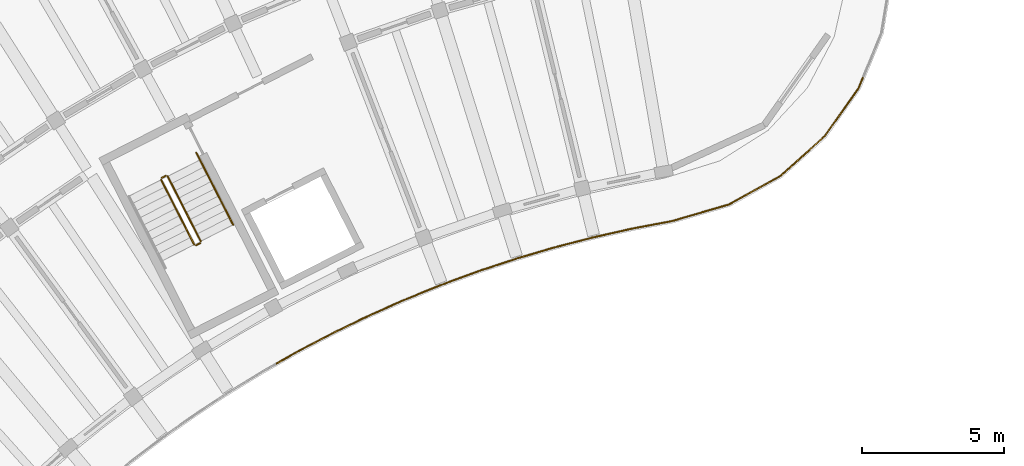
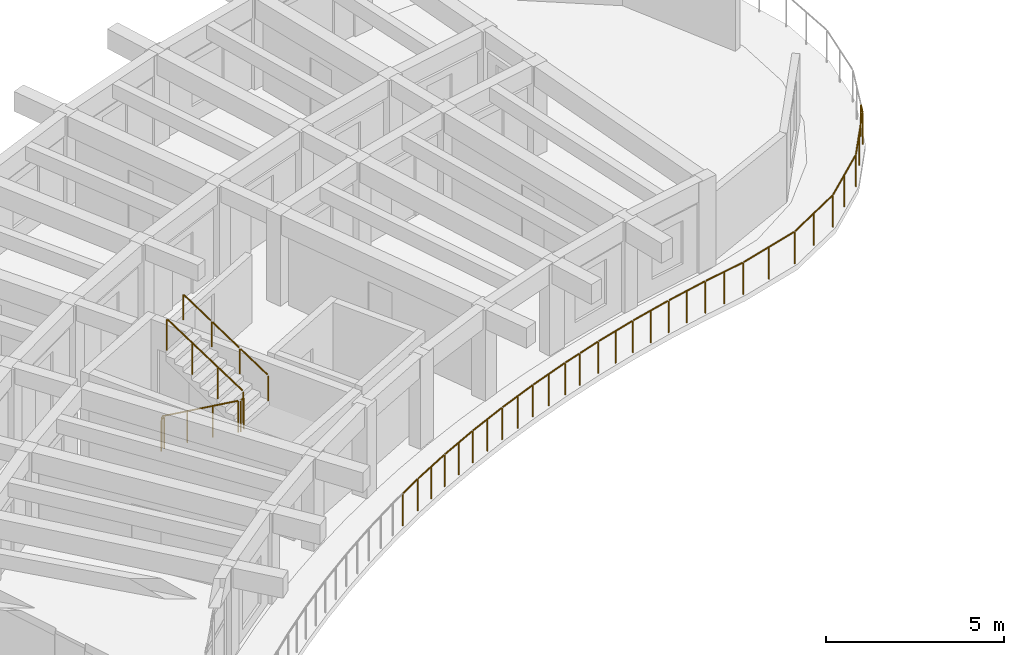
# One storey, part 35 of 41: 10 railings.
"""IFC4 building model written with IfcOpenShell, lengths in metres."""

import ifcopenshell
import ifcopenshell.guid

model = None  # the IFC model being written
_history = None  # IfcOwnerHistory: only IFC2X3 demands one
_inside = {}  # id of a spatial element -> (the spatial element, [elements in it])
_under = {}  # id of a project, library or spatial element -> (it, [spatial elements below it])
_declared = {}  # id of a project -> (the project, [libraries it declares])
_typed = {}  # id of a type object -> (the type object, [elements of that type])
_made_of = {}  # id of a material, layer set ... -> (it, [elements and type objects made of it])


def new_model(schema):
    """Start an empty IFC model of exactly this schema.

    Asked for "IFC4X3", IfcOpenShell would pick the latest addendum, in which some entities
    have other attributes; the version numbers below select the first issue.
    IFC2X3 requires an IfcOwnerHistory on every rooted entity: one is made here for all.
    """
    global model, _history
    if schema == "IFC4X3":
        model = ifcopenshell.file(schema_version=(4, 3, 0, 0))
    else:
        model = ifcopenshell.file(schema=schema)
    _inside.clear()
    _under.clear()
    _declared.clear()
    _typed.clear()
    _made_of.clear()
    _history = None
    if model.schema == "IFC2X3":
        org = make("IfcOrganization", Name="unknown")
        user = make(
            "IfcPersonAndOrganization",
            ThePerson=make("IfcPerson", FamilyName="unknown"),
            TheOrganization=org,
        )
        app = make(
            "IfcApplication",
            ApplicationDeveloper=org,
            Version="unknown",
            ApplicationFullName="unknown",
            ApplicationIdentifier="unknown",
        )
        _history = make(
            "IfcOwnerHistory",
            OwningUser=user,
            OwningApplication=app,
            ChangeAction="ADDED",
            CreationDate=0,
        )
    return model


def make(cls, **values):
    """One entity of the class cls with the attributes given. An attribute that is None is left unset."""
    return model.create_entity(
        cls, **{name: value for name, value in values.items() if value is not None}
    )


def rooted(cls, **values):
    """An entity with a GlobalId (a new one), such as an element, a storey or a relation."""
    return make(cls, GlobalId=ifcopenshell.guid.new(), OwnerHistory=_history, **values)


def si_unit(unit_type, name, prefix=None):
    """IfcSIUnit, for example si_unit("LENGTHUNIT", "METRE", prefix="MILLI")."""
    return make("IfcSIUnit", UnitType=unit_type, Prefix=prefix, Name=name)


def assignment(units):
    """IfcUnitAssignment: the units of a project."""
    return None if units is None else make("IfcUnitAssignment", Units=units)


def point(xyz):
    """IfcCartesianPoint."""
    return None if xyz is None else make("IfcCartesianPoint", Coordinates=xyz)


def direction(xyz):
    """IfcDirection."""
    return None if xyz is None else make("IfcDirection", DirectionRatios=xyz)


def frame(location, z_axis=None, x_axis=None):
    """IfcAxis2Placement3D, a coordinate frame: its origin and axes. An axis left out is left unset."""
    return make(
        "IfcAxis2Placement3D",
        Location=point(location),
        Axis=direction(z_axis),
        RefDirection=direction(x_axis),
    )


def frame_2d(location, x_axis=None):
    """IfcAxis2Placement2D, a coordinate frame in the plane: its origin and x axis."""
    return make(
        "IfcAxis2Placement2D", Location=point(location), RefDirection=direction(x_axis)
    )


def origin():
    """The frame at (0, 0, 0) with its axes left unset."""
    return frame((0.0, 0.0, 0.0))


def origin_2d():
    """The frame at (0, 0) in the plane with its x axis left unset."""
    return frame_2d((0.0, 0.0))


def place(relative_to, where):
    """IfcLocalPlacement: puts the frame where relative to a parent placement (None: the world)."""
    return make(
        "IfcLocalPlacement", PlacementRelTo=relative_to, RelativePlacement=where
    )


def context(
    kind, dimensions, precision=None, world=None, true_north=None, identifier=None
):
    """IfcGeometricRepresentationContext, for example the 3D "Model" context."""
    return make(
        "IfcGeometricRepresentationContext",
        ContextIdentifier=identifier,
        ContextType=kind,
        CoordinateSpaceDimension=dimensions,
        Precision=precision,
        WorldCoordinateSystem=world,
        TrueNorth=true_north,
    )


def subcontext(parent, identifier, kind, view, scale=None):
    """IfcGeometricRepresentationSubContext, for example "Body" below "Model"."""
    return make(
        "IfcGeometricRepresentationSubContext",
        ContextIdentifier=identifier,
        ContextType=kind,
        ParentContext=parent,
        TargetScale=scale,
        TargetView=view,
    )


def project(units=None, contexts=None):
    """IfcProject with its units and contexts."""
    return rooted(
        "IfcProject",
        Name="project",
        RepresentationContexts=contexts,
        UnitsInContext=assignment(units),
    )


def spatial(cls, under=None, at=None, **own):
    """A site, building, storey or space (cls), placed at a placement, below another one or the project."""
    s = rooted(cls, ObjectPlacement=at, **own)
    if under is not None:
        _under.setdefault(under.id(), (under, []))[1].append(s)
    return s


def profile(cls, at=None, kind="AREA", **sizes):
    """A parametric profile (cls). Its sizes go by their IFC names, for example OverallWidth=200.0."""
    return make(cls, ProfileType=kind, Position=at, **sizes)


def circle(**sizes):
    """IfcCircleProfileDef."""
    return profile("IfcCircleProfileDef", **sizes)


def extrude(swept, where, along, depth):
    """IfcExtrudedAreaSolid: the profile swept, set in the frame where, extruded along a direction by depth."""
    return make(
        "IfcExtrudedAreaSolid",
        SweptArea=swept,
        Position=where,
        ExtrudedDirection=direction(along),
        Depth=depth,
    )


def shape(context_of_items, identifier, shape_type, items):
    """IfcShapeRepresentation: the items that make up one representation, for example the "Body"."""
    return make(
        "IfcShapeRepresentation",
        ContextOfItems=context_of_items,
        RepresentationIdentifier=identifier,
        RepresentationType=shape_type,
        Items=items,
    )


def material(Name=None, Category=None):
    """IfcMaterial."""
    return make("IfcMaterial", Name=Name, Category=Category)


def made_of(thing, what):
    """Note that an element or type object is made of a material, layer set ...; save() writes the relation."""
    if what is not None:
        _made_of.setdefault(what.id(), (what, []))[1].append(thing)
    return thing


def type_object(cls, material=None, **own):
    """A type object (cls), such as IfcWallType, which elements share."""
    return made_of(rooted(cls, **own), material)


def element(
    cls,
    number,
    at=None,
    inside=None,
    cuts=None,
    type_object=None,
    material=None,
    context=None,
    identifier="Body",
    shape_type=None,
    held_by="IfcProductDefinitionShape",
    body=None,
    shapes=None,
    **own,
):
    """One element of the class cls, such as IfcWall. Its Tag is "e" and its number.

    at: its placement. inside: the storey or other place that contains it. cuts: it is an
    opening in that element (IfcRelVoidsElement). A single representation is given by context,
    identifier, shape_type and body (its items); several are given by shapes. held_by: the class
    of the entity that holds the representations. save() writes the other relations.
    """
    e = rooted(cls, Tag="e%d" % number, ObjectPlacement=at, **own)
    if body is not None:
        shapes = [shape(context, identifier, shape_type, body)]
    if shapes is not None:
        e.Representation = make(held_by, Representations=shapes)
    if inside is not None:
        _inside.setdefault(inside.id(), (inside, []))[1].append(e)
    if cuts is not None:
        rooted(
            "IfcRelVoidsElement", RelatingBuildingElement=cuts, RelatedOpeningElement=e
        )
    if type_object is not None:
        _typed.setdefault(type_object.id(), (type_object, []))[1].append(e)
    return made_of(e, material)


def aggregate(whole, parts):
    """IfcRelAggregates: a whole, such as a stair, and the parts it consists of."""
    return rooted("IfcRelAggregates", RelatingObject=whole, RelatedObjects=parts)


def save(model, path):
    """Write the relations noted so far, then the file.

    IfcRelAggregates (storeys below a building ...), IfcRelContainedInSpatialStructure (elements
    in a storey), IfcRelDefinesByType, IfcRelAssociatesMaterial and IfcRelDeclares: one each for
    every whole, place, type object, material and project.
    """
    for whole, parts in _under.values():
        aggregate(whole, parts)
    for where, things in _inside.values():
        rooted(
            "IfcRelContainedInSpatialStructure",
            RelatedElements=things,
            RelatingStructure=where,
        )
    for kind, things in _typed.values():
        rooted("IfcRelDefinesByType", RelatedObjects=things, RelatingType=kind)
    for what, things in _made_of.values():
        rooted("IfcRelAssociatesMaterial", RelatedObjects=things, RelatingMaterial=what)
    for by, libraries in _declared.values():
        rooted("IfcRelDeclares", RelatingContext=by, RelatedDefinitions=libraries)
    model.write(path)


model = new_model("IFC4")

# Units and contexts
model_context = context("Model", 3, precision=1e-05, world=origin(), true_north=direction((0.0, 1.0)))
body_context = subcontext(model_context, "Body", "Model", "MODEL_VIEW")
ifc_project = project(units=[si_unit("LENGTHUNIT", "METRE"), si_unit("AREAUNIT", "SQUARE_METRE"), si_unit("VOLUMEUNIT", "CUBIC_METRE"), si_unit("PLANEANGLEUNIT", "RADIAN"), si_unit("MASSUNIT", "GRAM", prefix="KILO")], contexts=[model_context])

# Site, building, storey
site_placement = place(None, origin())
site = spatial("IfcSite", under=ifc_project, at=site_placement, CompositionType="ELEMENT")
building_placement = place(site_placement, origin())
building = spatial("IfcBuilding", under=site, at=building_placement, Name="Tanwirah Colonnade Gardens", CompositionType="ELEMENT")
storey_placement = place(building_placement, frame((0.0, 0.0, 35.719970703125)))
storey = spatial("IfcBuildingStorey", under=building, at=storey_placement, Name="L10", CompositionType="ELEMENT", Elevation=35.719970703125)

# Railings
ifc_material_1 = material(Name="Precast concrete C40/50", Category="concrete")
railing_type_1 = type_object("IfcRailingType", Name="BAL-EXT112", PredefinedType="BALUSTRADE", material=ifc_material_1)
railing_1_placement = place(storey_placement, frame((59.755615234375, 102.843017578125, 0.0)))
element("IfcRailing", 1, at=railing_1_placement, inside=storey, type_object=railing_type_1, Name="Block A L10 Balcony Ribbon Balustrade 1", PredefinedType="BALUSTRADE", context=body_context, shape_type="SweptSolid", body=[
    extrude(circle(Radius=0.02392578125, at=origin_2d()), frame((-0.030029296875, -0.0087890625, 1.09619140625), z_axis=(-0.960245363481, -0.279157378397, 0.0), x_axis=(0.279157378397, -0.960245363481, 0.0)), (0.0, 0.0, 1.0), 2.029541015625),
    extrude(circle(Radius=0.02392578125, at=origin_2d()), frame((-2.03955078125, -0.58984375, 1.09619140625), z_axis=(-0.982553032323, -0.185982630032, 0.0), x_axis=(0.185982630032, -0.982553032323, 0.0)), (0.0, 0.0, 1.0), 1.338134765625),
    extrude(circle(Radius=0.02392578125, at=origin_2d()), frame((-3.41796875, -0.851806640625, 1.09619140625), z_axis=(-0.975875211082, -0.218329046156, 0.0), x_axis=(0.218329046156, -0.975875211082, 0.0)), (0.0, 0.0, 1.0), 1.342041015625),
    extrude(circle(Radius=0.02392578125, at=origin_2d()), frame((-4.790771484375, -1.16015625, 1.09619140625), z_axis=(-0.968157809477, -0.250340679771, 0.0), x_axis=(0.250340679771, -0.968157809477, 0.0)), (0.0, 0.0, 1.0), 1.341796875),
    extrude(circle(Radius=0.02392578125, at=origin_2d()), frame((-6.15283203125, -1.513427734375, 1.09619140625), z_axis=(-0.959362733044, -0.282175736812, 0.0), x_axis=(0.282175736812, -0.959362733044, 0.0)), (0.0, 0.0, 1.0), 1.341796875),
    extrude(circle(Radius=0.02392578125, at=origin_2d()), frame((-7.50244140625, -1.911376953125, 1.09619140625), z_axis=(-0.949521053399, -0.313703313902, 0.0), x_axis=(0.313703313902, -0.949521053399, 0.0)), (0.0, 0.0, 1.0), 0.72119140625),
    extrude(circle(Radius=0.02099609375, at=origin_2d()), origin(), (0.0, 0.0, 1.0), 1.069091796875),
    extrude(circle(Radius=0.02099609375, at=origin_2d()), frame((-1.00439453125, -0.2919921875, 0.0)), (0.0, 0.0, 1.0), 1.069091796875),
    extrude(circle(Radius=0.02099609375, at=origin_2d()), frame((-2.0087890625, -0.583984375, 0.0)), (0.0, 0.0, 1.0), 1.069091796875),
    extrude(circle(Radius=0.02099609375, at=origin_2d()), frame((-2.69677734375, -0.71435546875, 0.0)), (0.0, 0.0, 1.0), 1.069091796875),
    extrude(circle(Radius=0.02099609375, at=origin_2d()), frame((-3.385009765625, -0.844482421875, 0.0)), (0.0, 0.0, 1.0), 1.069091796875),
    extrude(circle(Radius=0.02099609375, at=origin_2d()), frame((-4.07275390625, -0.998291015625, 0.0)), (0.0, 0.0, 1.0), 1.069091796875),
    extrude(circle(Radius=0.02099609375, at=origin_2d()), frame((-4.758056640625, -1.151611328125, 0.0)), (0.0, 0.0, 1.0), 1.069091796875),
    extrude(circle(Radius=0.02099609375, at=origin_2d()), frame((-5.4404296875, -1.328125, 0.0)), (0.0, 0.0, 1.0), 1.069091796875),
    extrude(circle(Radius=0.02099609375, at=origin_2d()), frame((-6.1201171875, -1.50390625, 0.0)), (0.0, 0.0, 1.0), 1.069091796875),
    extrude(circle(Radius=0.02099609375, at=origin_2d()), frame((-6.79638671875, -1.70263671875, 0.0)), (0.0, 0.0, 1.0), 1.069091796875),
    extrude(circle(Radius=0.02099609375, at=origin_2d()), frame((-7.469970703125, -1.90087890625, 0.0)), (0.0, 0.0, 1.0), 1.069091796875),
    extrude(circle(Radius=0.02099609375, at=origin_2d()), frame((-8.216796875, -2.1474609375, 0.0)), (0.0, 0.0, 1.0), 1.069091796875),
])
railing_2_placement = place(storey_placement, frame((51.538818359375, 100.695556640625, 0.0)))
element("IfcRailing", 2, at=railing_2_placement, inside=storey, type_object=railing_type_1, Name="Block A L10 Balcony Ribbon Balustrade 2", PredefinedType="BALUSTRADE", context=body_context, shape_type="SweptSolid", body=[
    extrude(circle(Radius=0.02392578125, at=origin_2d()), frame((-0.02978515625, -0.009765625, 1.09619140625), z_axis=(-0.949545470255, -0.313629399003, 0.0), x_axis=(0.313629399003, -0.949545470255, 0.0)), (0.0, 0.0, 1.0), 0.557861328125),
    extrude(circle(Radius=0.02392578125, at=origin_2d()), frame((-0.62109375, -0.206298828125, 1.09619140625), z_axis=(-0.93868698515, -0.344770567059, 0.0), x_axis=(0.344770567059, -0.93868698515, 0.0)), (0.0, 0.0, 1.0), 1.341796875),
    extrude(circle(Radius=0.02392578125, at=origin_2d()), frame((-1.94140625, -0.6923828125, 1.09619140625), z_axis=(-0.92683738147, -0.375463005247, 0.0), x_axis=(0.375463005247, -0.92683738147, 0.0)), (0.0, 0.0, 1.0), 1.342041015625),
    extrude(circle(Radius=0.02392578125, at=origin_2d()), frame((-3.244873046875, -1.2216796875, 1.09619140625), z_axis=(-0.913997826773, -0.40571908096, 0.0), x_axis=(0.40571908096, -0.913997826773, 0.0)), (0.0, 0.0, 1.0), 1.342041015625),
    extrude(circle(Radius=0.02392578125, at=origin_2d()), frame((-4.5302734375, -1.793701171875, 1.09619140625), z_axis=(-0.900124070825, -0.43563362717, 0.0), x_axis=(0.43563362717, -0.900124070825, 0.0)), (0.0, 0.0, 1.0), 1.341796875),
    extrude(circle(Radius=0.02392578125, at=origin_2d()), frame((-5.796142578125, -2.40771484375, 1.09619140625), z_axis=(-0.885204649416, -0.465201814972, 0.0), x_axis=(0.465201814972, -0.885204649416, 0.0)), (0.0, 0.0, 1.0), 1.341796875),
    extrude(circle(Radius=0.02392578125, at=origin_2d()), frame((-7.041259765625, -3.06298828125, 1.09619140625), z_axis=(-0.869382946819, -0.494138939753, 0.0), x_axis=(0.494138939753, -0.869382946819, 0.0)), (0.0, 0.0, 1.0), 0.779296875),
    extrude(circle(Radius=0.02099609375, at=origin_2d()), origin(), (0.0, 0.0, 1.0), 1.069091796875),
    extrude(circle(Radius=0.02099609375, at=origin_2d()), frame((-0.589111328125, -0.194580078125, 0.0)), (0.0, 0.0, 1.0), 1.069091796875),
    extrude(circle(Radius=0.02099609375, at=origin_2d()), frame((-1.2509765625, -0.4375, 0.0)), (0.0, 0.0, 1.0), 1.069091796875),
    extrude(circle(Radius=0.02099609375, at=origin_2d()), frame((-1.909912109375, -0.6796875, 0.0)), (0.0, 0.0, 1.0), 1.069091796875),
    extrude(circle(Radius=0.02099609375, at=origin_2d()), frame((-2.563232421875, -0.9443359375, 0.0)), (0.0, 0.0, 1.0), 1.069091796875),
    extrude(circle(Radius=0.02099609375, at=origin_2d()), frame((-3.214111328125, -1.2080078125, 0.0)), (0.0, 0.0, 1.0), 1.069091796875),
    extrude(circle(Radius=0.02099609375, at=origin_2d()), frame((-3.858154296875, -1.493896484375, 0.0)), (0.0, 0.0, 1.0), 1.069091796875),
    extrude(circle(Radius=0.02099609375, at=origin_2d()), frame((-4.5, -1.77880859375, 0.0)), (0.0, 0.0, 1.0), 1.069091796875),
    extrude(circle(Radius=0.02099609375, at=origin_2d()), frame((-5.13427734375, -2.0859375, 0.0)), (0.0, 0.0, 1.0), 1.069091796875),
    extrude(circle(Radius=0.02099609375, at=origin_2d()), frame((-5.766357421875, -2.391845703125, 0.0)), (0.0, 0.0, 1.0), 1.069091796875),
    extrude(circle(Radius=0.02099609375, at=origin_2d()), frame((-6.39013671875, -2.7197265625, 0.0)), (0.0, 0.0, 1.0), 1.069091796875),
    extrude(circle(Radius=0.02099609375, at=origin_2d()), frame((-7.01171875, -3.04638671875, 0.0)), (0.0, 0.0, 1.0), 1.069091796875),
    extrude(circle(Radius=0.02099609375, at=origin_2d()), frame((-7.74609375, -3.463623046875, 0.0)), (0.0, 0.0, 1.0), 1.069091796875),
])
railing_3_placement = place(storey_placement, frame((64.48193359375, 107.31005859375, 0.0)))
element("IfcRailing", 3, at=railing_3_placement, inside=storey, type_object=railing_type_1, Name="Block A L10 Balcony Ribbon Balustrade 20", PredefinedType="BALUSTRADE", context=body_context, shape_type="SweptSolid", body=[
    extrude(circle(Radius=0.02392578125, at=origin_2d()), frame((-0.011962890625, -0.02880859375, 1.09619140625), z_axis=(-0.380493345195, -0.924783658086, 0.0), x_axis=(0.924783658086, -0.380493345195, 0.0)), (0.0, 0.0, 1.0), 0.320556640625),
    extrude(circle(Radius=0.02392578125, at=origin_2d()), frame((-0.163818359375, -0.3798828125, 1.09619140625), z_axis=(-0.576747498313, -0.816922470734, 0.0), x_axis=(0.816922470734, -0.576747498313, 0.0)), (0.0, 0.0, 1.0), 2.0244140625),
    extrude(circle(Radius=0.02392578125, at=origin_2d()), frame((-1.37255859375, -2.080078125, 1.09619140625), z_axis=(-0.744049898412, -0.66812405186, 0.0), x_axis=(0.66812405186, -0.744049898412, 0.0)), (0.0, 0.0, 1.0), 2.0244140625),
    extrude(circle(Radius=0.02392578125, at=origin_2d()), frame((-2.929443359375, -3.468505859375, 1.09619140625), z_axis=(-0.874113127166, -0.485722390791, 0.0), x_axis=(0.485722390791, -0.874113127166, 0.0)), (0.0, 0.0, 1.0), 2.0244140625),
    extrude(circle(Radius=0.02099609375, at=origin_2d()), origin(), (0.0, 0.0, 1.0), 1.069091796875),
    extrude(circle(Radius=0.02099609375, at=origin_2d()), frame((-0.145751953125, -0.354248046875, 0.0)), (0.0, 0.0, 1.0), 1.069091796875),
    extrude(circle(Radius=0.02099609375, at=origin_2d()), frame((-0.74755859375, -1.20654296875, 0.0)), (0.0, 0.0, 1.0), 1.069091796875),
    extrude(circle(Radius=0.02099609375, at=origin_2d()), frame((-1.349365234375, -2.05908203125, 0.0)), (0.0, 0.0, 1.0), 1.069091796875),
    extrude(circle(Radius=0.02099609375, at=origin_2d()), frame((-2.125732421875, -2.75634765625, 0.0)), (0.0, 0.0, 1.0), 1.069091796875),
    extrude(circle(Radius=0.02099609375, at=origin_2d()), frame((-2.902099609375, -3.453369140625, 0.0)), (0.0, 0.0, 1.0), 1.069091796875),
    extrude(circle(Radius=0.02099609375, at=origin_2d()), frame((-3.814208984375, -3.960205078125, 0.0)), (0.0, 0.0, 1.0), 1.069091796875),
    extrude(circle(Radius=0.02099609375, at=origin_2d()), frame((-4.726318359375, -4.467041015625, 0.0)), (0.0, 0.0, 1.0), 1.069091796875),
])
ifc_material_2 = material(Name="Powder-coated galvanized steel", Category="steel")
railing_type_2 = type_object("IfcRailingType", Name="GRD-ST110", PredefinedType="GUARDRAIL", material=ifc_material_2)
railing_4_placement = place(storey_placement, frame((39.718994140625, 103.715576171875, 0.16796875)))
element("IfcRailing", 4, at=railing_4_placement, inside=storey, type_object=railing_type_2, Name="L10 ST-A1 stair guard 1", PredefinedType="GUARDRAIL", context=body_context, shape_type="SweptSolid", body=[
    extrude(circle(Radius=0.02392578125, at=origin_2d()), frame((0.01220703125, -0.02392578125, 1.092041015625), z_axis=(0.391052831089, -0.767591854021, 0.507819287678), x_axis=(0.891032232724, 0.453940040365, 0.0)), (0.0, 0.0, 1.0), 2.914794921875),
    extrude(circle(Radius=0.02099609375, at=origin_2d()), origin(), (0.0, 0.0, 1.0), 1.049072265625),
    extrude(circle(Radius=0.02099609375, at=origin_2d()), frame((0.38818359375, -0.76171875, 0.50390625)), (0.0, 0.0, 1.0), 1.049072265625),
    extrude(circle(Radius=0.02099609375, at=origin_2d()), frame((0.776123046875, -1.523681640625, 1.008056640625)), (0.0, 0.0, 1.0), 1.049072265625),
    extrude(circle(Radius=0.02099609375, at=origin_2d()), frame((1.164306640625, -2.285400390625, 1.511962890625)), (0.0, 0.0, 1.0), 1.049072265625),
])
railing_5_placement = place(storey_placement, frame((40.95068359375, 101.408203125, 1.679931640625)))
element("IfcRailing", 5, at=railing_5_placement, inside=storey, type_object=railing_type_2, Name="L10 ST-A1 stair guard 2", PredefinedType="GUARDRAIL", context=body_context, shape_type="SweptSolid", body=[
    extrude(circle(Radius=0.02392578125, at=origin_2d()), frame((0.02783203125, 0.01416015625, 1.076171875), z_axis=(0.89073666619, 0.4545197372, 0.0), x_axis=(-0.4545197372, 0.89073666619, 0.0)), (0.0, 0.0, 1.0), 0.09765625),
    extrude(circle(Radius=0.02099609375, at=origin_2d()), origin(), (0.0, 0.0, 1.0), 1.049072265625),
    extrude(circle(Radius=0.02099609375, at=origin_2d()), frame((0.142578125, 0.07275390625, 0.0)), (0.0, 0.0, 1.0), 1.049072265625),
])
railing_6_placement = place(storey_placement, frame((41.114990234375, 101.548095703125, 1.84814453125)))
element("IfcRailing", 6, at=railing_6_placement, inside=storey, type_object=railing_type_2, Name="L10 ST-A1 stair guard 3", PredefinedType="GUARDRAIL", context=body_context, shape_type="SweptSolid", body=[
    extrude(circle(Radius=0.02392578125, at=origin_2d()), frame((-0.01220703125, 0.02392578125, 1.092041015625), z_axis=(-0.3911222872, 0.767567239095, 0.507803003067), x_axis=(-0.890993730975, -0.45401560696, 0.0)), (0.0, 0.0, 1.0), 2.9150390625),
    extrude(circle(Radius=0.02099609375, at=origin_2d()), origin(), (0.0, 0.0, 1.0), 1.049072265625),
    extrude(circle(Radius=0.02099609375, at=origin_2d()), frame((-0.38818359375, 0.76171875, 0.50390625)), (0.0, 0.0, 1.0), 1.049072265625),
    extrude(circle(Radius=0.02099609375, at=origin_2d()), frame((-0.7763671875, 1.523681640625, 1.008056640625)), (0.0, 0.0, 1.0), 1.049072265625),
    extrude(circle(Radius=0.02099609375, at=origin_2d()), frame((-1.16455078125, 2.285400390625, 1.511962890625)), (0.0, 0.0, 1.0), 1.049072265625),
])
railing_7_placement = place(storey_placement, frame((39.74072265625, 103.78271484375, 0.0)))
element("IfcRailing", 7, at=railing_7_placement, inside=storey, type_object=railing_type_2, Name="L10 ST-A1 stair guard 4", PredefinedType="GUARDRAIL", context=body_context, shape_type="SweptSolid", body=[
    extrude(circle(Radius=0.02392578125, at=origin_2d()), frame((0.02783203125, 0.01416015625, 1.076171875), z_axis=(0.89073666619, 0.4545197372, 0.0), x_axis=(-0.4545197372, 0.89073666619, 0.0)), (0.0, 0.0, 1.0), 0.09765625),
    extrude(circle(Radius=0.02099609375, at=origin_2d()), origin(), (0.0, 0.0, 1.0), 1.049072265625),
    extrude(circle(Radius=0.02099609375, at=origin_2d()), frame((0.142578125, 0.07275390625, 0.0)), (0.0, 0.0, 1.0), 1.049072265625),
])
ifc_material_3 = material(Name="Brushed bronze stainless steel", Category="steel")
railing_type_3 = type_object("IfcRailingType", Name="HR-ST090", PredefinedType="HANDRAIL", material=ifc_material_3)
railing_8_placement = place(storey_placement, frame((42.255615234375, 102.129150390625, 1.84814453125)))
element("IfcRailing", 8, at=railing_8_placement, inside=storey, type_object=railing_type_3, Name="L10 ST-A1 stair handrail 4", PredefinedType="HANDRAIL", context=body_context, shape_type="SweptSolid", body=[
    extrude(circle(Radius=0.02392578125, at=origin_2d()), frame((-0.01220703125, 0.02392578125, 0.891845703125), z_axis=(-0.390117538533, 0.765442844423, 0.51176709356), x_axis=(-0.890957114254, -0.454087459154, 0.0)), (0.0, 0.0, 1.0), 1.043212890625),
    extrude(circle(Radius=0.02099609375, at=origin_2d()), origin(), (0.0, 0.0, 1.0), 0.848876953125),
    extrude(circle(Radius=0.02099609375, at=origin_2d()), frame((-0.431396484375, 0.846435546875, 0.56591796875)), (0.0, 0.0, 1.0), 0.848876953125),
])
railing_9_placement = place(storey_placement, frame((41.82421875, 102.9755859375, 2.4140625)))
element("IfcRailing", 9, at=railing_9_placement, inside=storey, type_object=railing_type_3, Name="L10 ST-A1 stair handrail 5", PredefinedType="HANDRAIL", context=body_context, shape_type="SweptSolid", body=[
    extrude(circle(Radius=0.02392578125, at=origin_2d()), frame((-0.01220703125, 0.02392578125, 0.891845703125), z_axis=(-0.390051618152, 0.765534245474, 0.511680617361), x_axis=(-0.891010084603, -0.453983511965, 0.0)), (0.0, 0.0, 1.0), 1.04345703125),
    extrude(circle(Radius=0.02099609375, at=origin_2d()), origin(), (0.0, 0.0, 1.0), 0.848876953125),
    extrude(circle(Radius=0.02099609375, at=origin_2d()), frame((-0.431396484375, 0.8466796875, 0.56591796875)), (0.0, 0.0, 1.0), 0.848876953125),
])
railing_10_placement = place(storey_placement, frame((41.392822265625, 103.822265625, 2.97998046875)))
element("IfcRailing", 10, at=railing_10_placement, inside=storey, type_object=railing_type_3, Name="L10 ST-A1 stair handrail 6", PredefinedType="HANDRAIL", context=body_context, shape_type="SweptSolid", body=[
    extrude(circle(Radius=0.02392578125, at=origin_2d()), frame((-0.01220703125, 0.02392578125, 0.891845703125), z_axis=(-0.389886268615, 0.765422249879, 0.511974097915), x_axis=(-0.891061070925, -0.453883429839, 0.0)), (0.0, 0.0, 1.0), 1.043212890625),
    extrude(circle(Radius=0.02099609375, at=origin_2d()), origin(), (0.0, 0.0, 1.0), 0.848876953125),
    extrude(circle(Radius=0.02099609375, at=origin_2d()), frame((-0.43115234375, 0.846435546875, 0.566162109375)), (0.0, 0.0, 1.0), 0.848876953125),
])

save(model, "model.ifc")
